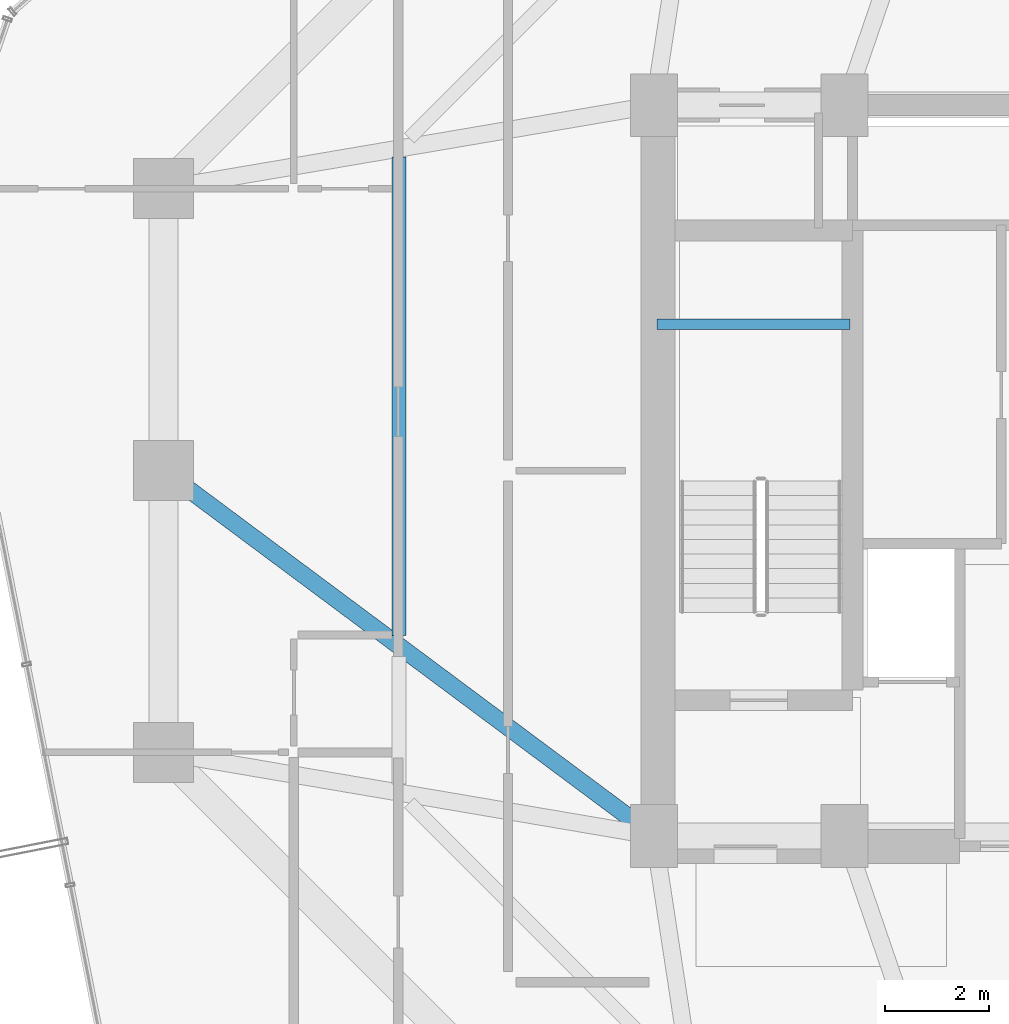
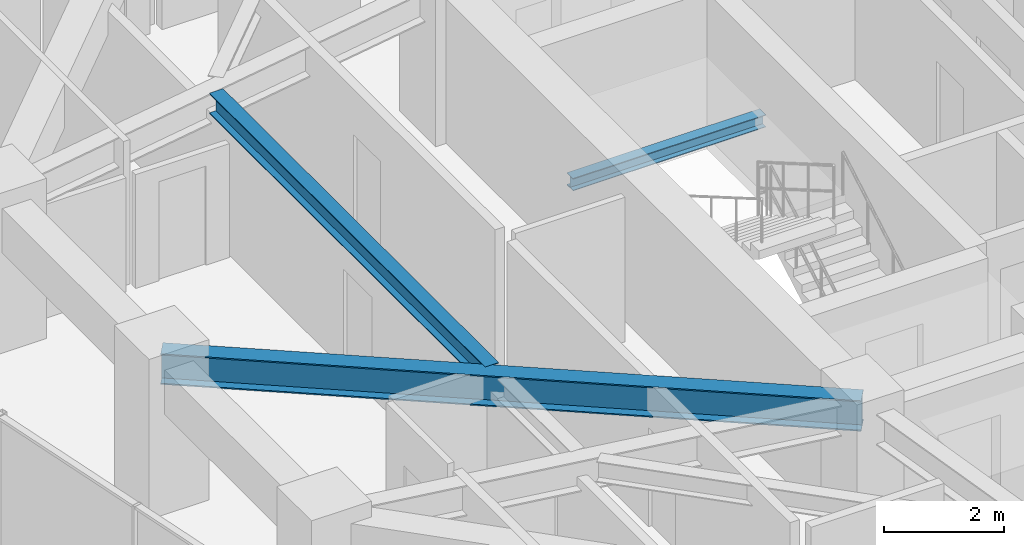
# One storey, part 12 of 36: 3 beams.
"""IFC4 building model written with IfcOpenShell, lengths in metres."""

from ifc_helpers import new_model, si_unit, direction, frame, origin, origin_2d, place, context, subcontext, project, spatial, i_section, extrude, material, material_profile, profile_set, type_object, element, save


model = new_model("IFC4")

# Units and contexts
model_context = context("Model", 3, precision=1e-05, world=origin(), true_north=direction((0.0, 1.0)))
body_context = subcontext(model_context, "Body", "Model", "MODEL_VIEW")
ifc_project = project(units=[si_unit("LENGTHUNIT", "METRE"), si_unit("AREAUNIT", "SQUARE_METRE"), si_unit("VOLUMEUNIT", "CUBIC_METRE"), si_unit("PLANEANGLEUNIT", "RADIAN"), si_unit("MASSUNIT", "GRAM", prefix="KILO")], contexts=[model_context])

# Site, building, storey
site_placement = place(None, origin())
site = spatial("IfcSite", under=ifc_project, at=site_placement, CompositionType="ELEMENT")
building_placement = place(site_placement, origin())
building = spatial("IfcBuilding", under=site, at=building_placement, Name="Veraguas Prism Commons", CompositionType="ELEMENT")
storey_placement = place(building_placement, frame((0.0, 0.0, 166.300048828125)))
storey = spatial("IfcBuildingStorey", under=building, at=storey_placement, Name="L47", CompositionType="ELEMENT", Elevation=166.300048828125)

# Beams
ifc_material = material(Name="Steel ASTM A992 Grade 50", Category="steel")
ifc_material_profile_1 = material_profile(ifc_material, i_section(OverallWidth=0.260986328125, OverallDepth=0.419921875, WebThickness=0.01171875, FlangeThickness=0.019287109375, at=origin_2d()), Name="W410X114")
ifc_profile_set_1 = profile_set([ifc_material_profile_1], Name="Steel ASTM A992 Grade 50")
beam_type_1 = type_object("IfcBeamType", Name="Lower Floor Joist W410x114", PredefinedType="JOIST", material=ifc_profile_set_1)
beam_1_placement = place(storey_placement, frame((12.31201171875, 30.003662109375, 2.719970703125), z_axis=(0.0, -1.0, 0.0), x_axis=(1.0, 0.0, 0.0)))
element("IfcBeam", 1, at=beam_1_placement, inside=storey, type_object=beam_type_1, Name="Composite Floor Joist L47-JS07", PredefinedType="JOIST", context=body_context, shape_type="SweptSolid", body=[
    extrude(i_section(OverallWidth=0.260986328125, OverallDepth=0.419921875, WebThickness=0.01171875, FlangeThickness=0.019287109375, at=origin_2d()), origin(), (0.0, 0.0, 1.0), 9.16162109375),
])
ifc_material_profile_2 = material_profile(ifc_material, i_section(OverallWidth=0.202880859375, OverallDepth=0.251953125, WebThickness=0.008056640625, FlangeThickness=0.013427734375, at=origin_2d()), Name="W250X58")
ifc_profile_set_2 = profile_set([ifc_material_profile_2], Name="Steel ASTM A992 Grade 50")
beam_type_2 = type_object("IfcBeamType", Name="Structural Opening Lintel W250x58", PredefinedType="LINTEL", material=ifc_profile_set_2)
beam_2_placement = place(storey_placement, frame((17.25, 26.800048828125, 1.299072265625), z_axis=(1.0, 0.0, 0.0), x_axis=(0.0, 1.0, 0.0)))
element("IfcBeam", 2, at=beam_2_placement, inside=storey, type_object=beam_type_2, Name="Stair ST-01 Half-Landing Support Beam L47-1", PredefinedType="LINTEL", context=body_context, shape_type="SweptSolid", body=[
    extrude(i_section(OverallWidth=0.202880859375, OverallDepth=0.251953125, WebThickness=0.008056640625, FlangeThickness=0.013427734375, at=origin_2d()), origin(), (0.0, 0.0, 1.0), 3.699951171875),
])
ifc_material_profile_3 = material_profile(ifc_material, i_section(OverallWidth=0.327880859375, OverallDepth=0.6220703125, WebThickness=0.015380859375, FlangeThickness=0.0244140625, at=origin_2d()), Name="W610X195")
ifc_profile_set_3 = profile_set([ifc_material_profile_3], Name="Steel ASTM A992 Grade 50")
beam_type_3 = type_object("IfcBeamType", Name="Zone 2 Radial Girder W610x195", PredefinedType="BEAM", material=ifc_profile_set_3)
beam_3_placement = place(storey_placement, frame((7.800048828125, 24.0, 2.618896484375), z_axis=(0.802040137921, -0.597270137512, 0.0), x_axis=(0.597270137512, 0.802040137921, 0.0)))
element("IfcBeam", 3, at=beam_3_placement, inside=storey, type_object=beam_type_3, Name="Radial Floor Girder L47-RD08", PredefinedType="BEAM", context=body_context, shape_type="SweptSolid", body=[
    extrude(i_section(OverallWidth=0.327880859375, OverallDepth=0.6220703125, WebThickness=0.015380859375, FlangeThickness=0.0244140625, at=origin_2d()), origin(), (0.0, 0.0, 1.0), 11.719970703125),
])

save(model, "model.ifc")
